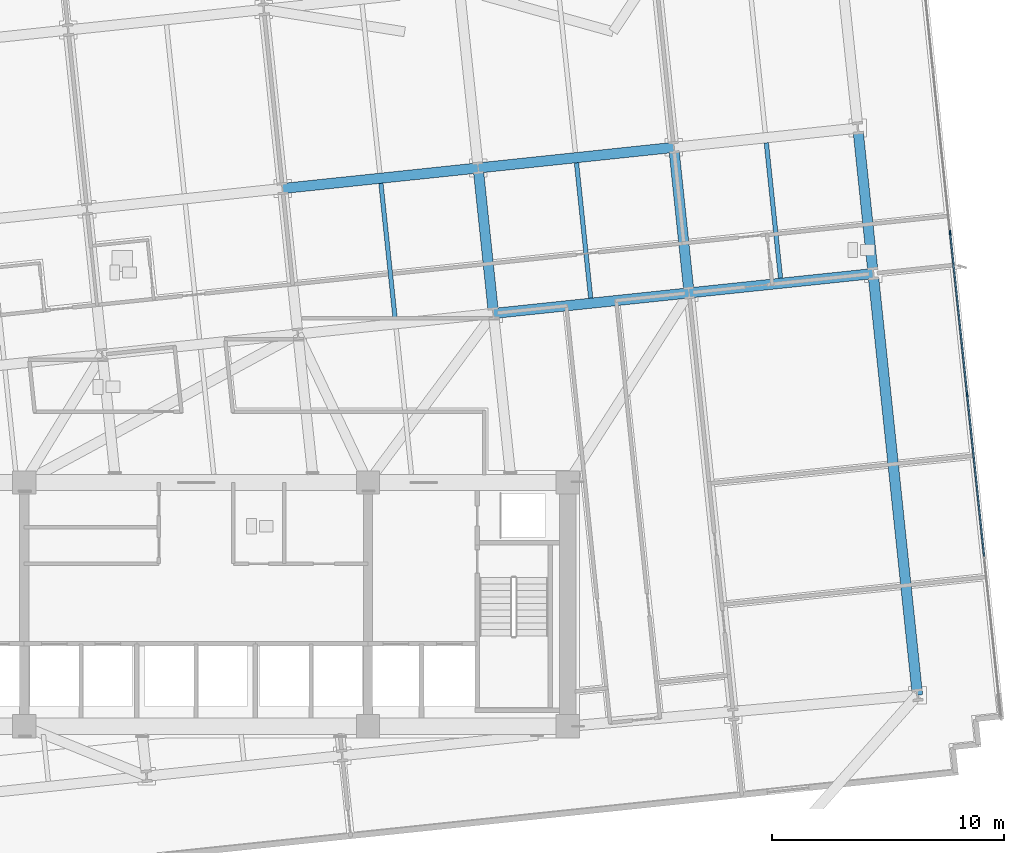
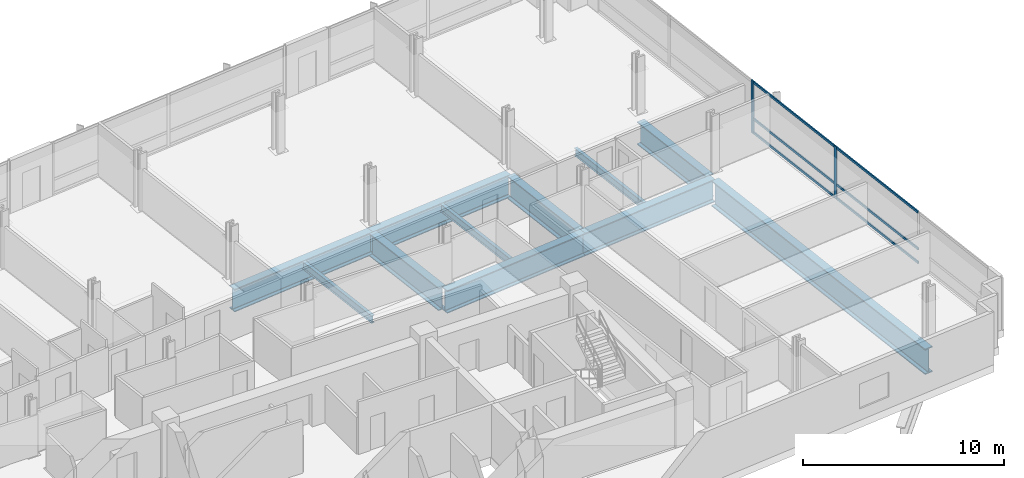
# One storey, part 5 of 18: 11 beams, 8 members, 1 element without a shape of its own.
"""IFC4 building model written with IfcOpenShell, lengths in metres."""

from ifc_helpers import new_model, si_unit, direction, frame, origin, origin_2d, place, context, subcontext, project, spatial, rectangle, i_section, extrude, material, material_profile, profile_set, type_object, element, aggregate, save


model = new_model("IFC4")

# Units and contexts
model_context = context("Model", 3, precision=1e-05, world=origin(), true_north=direction((0.0, 1.0)))
body_context = subcontext(model_context, "Body", "Model", "MODEL_VIEW")
ifc_project = project(units=[si_unit("LENGTHUNIT", "METRE"), si_unit("AREAUNIT", "SQUARE_METRE"), si_unit("VOLUMEUNIT", "CUBIC_METRE"), si_unit("PLANEANGLEUNIT", "RADIAN"), si_unit("MASSUNIT", "GRAM", prefix="KILO")], contexts=[model_context])

# Site, building, storey
site_placement = place(None, origin())
site = spatial("IfcSite", under=ifc_project, at=site_placement, CompositionType="ELEMENT")
building_placement = place(site_placement, origin())
building = spatial("IfcBuilding", under=site, at=building_placement, Name="Solmavex Isthmus Hotel", CompositionType="ELEMENT")
storey_placement = place(building_placement, frame((0.0, 0.0, 80.10009765625)))
storey = spatial("IfcBuildingStorey", under=building, at=storey_placement, Name="L21", CompositionType="ELEMENT", Elevation=80.10009765625)

# Beams
ifc_material_1 = material(Name="Steel ASTM A992 Grade 50", Category="steel")
ifc_material_profile_1 = material_profile(ifc_material_1, i_section(OverallWidth=0.1904296875, OverallDepth=0.456787109375, WebThickness=0.009033203125, FlangeThickness=0.014404296875, FilletRadius=0.0126953125, at=origin_2d()), Name="W18X50")
ifc_profile_set_1 = profile_set([ifc_material_profile_1], Name="Steel ASTM A992 Grade 50")
beam_type_1 = type_object("IfcBeamType", Name="BM-BJ-W18X50", PredefinedType="JOIST", material=ifc_profile_set_1)
beam_1_placement = place(storey_placement, frame((8.5673828125, 4.5498046875, -0.678466796875), z_axis=(-0.104524243635, 0.99452233886, 0.0), x_axis=(-0.99452233886, -0.104524243635, 0.0)))
element("IfcBeam", 1, at=beam_1_placement, inside=storey, type_object=beam_type_1, Name="Secondary Floor Joist L21-J14", PredefinedType="JOIST", context=body_context, shape_type="SweptSolid", body=[
    extrude(i_section(OverallWidth=0.1904296875, OverallDepth=0.456787109375, WebThickness=0.009033203125, FlangeThickness=0.014404296875, FilletRadius=0.0126953125, at=origin_2d()), origin(), (0.0, 0.0, 1.0), 5.85791015625),
])
beam_2_placement = place(storey_placement, frame((16.98681640625, 5.434814453125, -0.678466796875), z_axis=(-0.104528576139, 0.994521883505, 0.0), x_axis=(-0.994521883505, -0.104528576139, 0.0)))
element("IfcBeam", 2, at=beam_2_placement, inside=storey, type_object=beam_type_1, Name="Secondary Floor Joist L21-J16", PredefinedType="JOIST", context=body_context, shape_type="SweptSolid", body=[
    extrude(i_section(OverallWidth=0.1904296875, OverallDepth=0.456787109375, WebThickness=0.009033203125, FlangeThickness=0.014404296875, FilletRadius=0.0126953125, at=origin_2d()), origin(), (0.0, 0.0, 1.0), 5.857666015625),
])
beam_3_placement = place(storey_placement, frame((25.158935546875, 6.293701171875, -0.678466796875), z_axis=(-0.104524243635, 0.99452233886, 0.0), x_axis=(-0.99452233886, -0.104524243635, 0.0)))
element("IfcBeam", 3, at=beam_3_placement, inside=storey, type_object=beam_type_1, Name="Secondary Floor Joist L21-J18", PredefinedType="JOIST", context=body_context, shape_type="SweptSolid", body=[
    extrude(i_section(OverallWidth=0.1904296875, OverallDepth=0.456787109375, WebThickness=0.009033203125, FlangeThickness=0.014404296875, FilletRadius=0.0126953125, at=origin_2d()), origin(), (0.0, 0.0, 1.0), 5.85791015625),
])
ifc_material_2 = material(Name="Steel ASTM A572 Grade 50", Category="steel")
ifc_material_profile_2 = material_profile(ifc_material_2, i_section(OverallWidth=0.449951171875, OverallDepth=1.550048828125, WebThickness=0.031982421875, FlangeThickness=0.06494140625, FilletRadius=0.030517578125, at=origin_2d()), Name="I1550X450")
ifc_profile_set_2 = profile_set([ifc_material_profile_2], Name="Steel ASTM A572 Grade 50")
beam_type_2 = type_object("IfcBeamType", Name="BM-TB-G1550", PredefinedType="BEAM", material=ifc_profile_set_2)
beam_4_placement = place(storey_placement, frame((31.0517578125, -11.65869140625, -1.22509765625), z_axis=(-0.104535351724, 0.994521171338, 0.0), x_axis=(-0.994521171338, -0.104535351724, 0.0)))
element("IfcBeam", 4, at=beam_4_placement, inside=storey, type_object=beam_type_2, Name="Outrigger Collector Beam L21-VG44", PredefinedType="BEAM", context=body_context, shape_type="SweptSolid", body=[
    extrude(i_section(OverallWidth=0.449951171875, OverallDepth=1.550048828125, WebThickness=0.031982421875, FlangeThickness=0.06494140625, FilletRadius=0.030517578125, at=origin_2d()), origin(), (0.0, 0.0, 1.0), 18.030029296875),
])
ifc_material_profile_3 = material_profile(ifc_material_2, i_section(OverallWidth=0.43994140625, OverallDepth=1.3798828125, WebThickness=0.030029296875, FlangeThickness=0.054931640625, FilletRadius=0.030517578125, at=origin_2d()), Name="I1380X440")
ifc_profile_set_3 = profile_set([ifc_material_profile_3], Name="Steel ASTM A572 Grade 50")
beam_type_3 = type_object("IfcBeamType", Name="BM-TG-I1380", PredefinedType="BEAM", material=ifc_profile_set_3)
beam_5_placement = place(storey_placement, frame((12.800048828125, 4.7734375, -1.14013671875), z_axis=(0.994521085209, 0.104536171134, 0.0), x_axis=(-0.104536171134, 0.994521085209, 0.0)))
element("IfcBeam", 5, at=beam_5_placement, inside=storey, type_object=beam_type_3, Name="Outrigger Collector Girder L21-UG09", PredefinedType="BEAM", context=body_context, shape_type="SweptSolid", body=[
    extrude(i_section(OverallWidth=0.43994140625, OverallDepth=1.3798828125, WebThickness=0.030029296875, FlangeThickness=0.054931640625, FilletRadius=0.030517578125, at=origin_2d()), origin(), (0.0, 0.0, 1.0), 8.466064453125),
])
beam_6_placement = place(storey_placement, frame((21.2197265625, 5.658447265625, -1.14013671875), z_axis=(0.994523402738, 0.104514120609, 0.0), x_axis=(-0.104514120609, 0.994523402738, 0.0)))
element("IfcBeam", 6, at=beam_6_placement, inside=storey, type_object=beam_type_3, Name="Outrigger Collector Girder L21-UG10", PredefinedType="BEAM", context=body_context, shape_type="SweptSolid", body=[
    extrude(i_section(OverallWidth=0.43994140625, OverallDepth=1.3798828125, WebThickness=0.030029296875, FlangeThickness=0.054931640625, FilletRadius=0.030517578125, at=origin_2d()), origin(), (0.0, 0.0, 1.0), 7.968017578125),
])
for number, where, z_axis, x_axis, name in (
    (7, (3.72216796875, 10.152099609375, -1.14013671875), (0.994524082861, 0.104507648572, 0.0), (-0.104507648572, 0.994524082861, 0.0), "Outrigger Collector Girder L21-UG14"),
    (8, (12.141845703125, 11.036865234375, -1.14013671875), (0.994521085209, 0.104536171134, 0.0), (-0.104536171134, 0.994521085209, 0.0), "Outrigger Collector Girder L21-UG15"),
):
    element("IfcBeam", number, at=place(storey_placement, frame(where, z_axis=z_axis, x_axis=x_axis)), inside=storey, type_object=beam_type_3, Name=name, PredefinedType="BEAM", context=body_context, shape_type="SweptSolid", body=[
        extrude(i_section(OverallWidth=0.43994140625, OverallDepth=1.3798828125, WebThickness=0.030029296875, FlangeThickness=0.054931640625, FilletRadius=0.030517578125, at=origin_2d()), origin(), (0.0, 0.0, 1.0), 8.466064453125),
    ])
for number, where, z_axis, x_axis, name in (
    (9, (12.777099609375, 4.9921875, -1.14013671875), (-0.104524243635, 0.99452233886, 0.0), (-0.99452233886, -0.104524243635, 0.0), "Outrigger Collector Beam L21-VG39"),
    (10, (21.19677734375, 5.877197265625, -1.14013671875), (-0.104524243635, 0.99452233886, 0.0), (-0.99452233886, -0.104524243635, 0.0), "Outrigger Collector Beam L21-VG42"),
    (11, (29.12109375, 6.7099609375, -1.14013671875), (-0.104524243635, 0.99452233886, 0.0), (-0.99452233886, -0.104524243635, 0.0), "Outrigger Collector Beam L21-VG45"),
):
    element("IfcBeam", number, at=place(storey_placement, frame(where, z_axis=z_axis, x_axis=x_axis)), inside=storey, type_object=beam_type_3, Name=name, PredefinedType="BEAM", context=body_context, shape_type="SweptSolid", body=[
        extrude(i_section(OverallWidth=0.43994140625, OverallDepth=1.3798828125, WebThickness=0.030029296875, FlangeThickness=0.054931640625, FilletRadius=0.030517578125, at=origin_2d()), origin(), (0.0, 0.0, 1.0), 5.85791015625),
    ])

# Curtain wall, members
ifc_material_3 = material(Name="Aluminium alloy 6063-T6", Category="aluminium")
curtain_wall_type = type_object("IfcCurtainWallType", Name="CW-SYS-03", PredefinedType="NOTDEFINED", material=ifc_material_3)
curtain_wall_placement = place(storey_placement, origin())
curtain_wall = element("IfcCurtainWall", 12, at=curtain_wall_placement, inside=storey, type_object=curtain_wall_type, Name="Stick Curtain Wall CWL-L21-E1", PredefinedType="NOTDEFINED")
ifc_material_profile_4 = material_profile(ifc_material_3, rectangle(XDim=0.070068359375, YDim=0.179931640625, at=origin_2d()), Name="CWM-70X180")
ifc_profile_set_4 = profile_set([ifc_material_profile_4], Name="Aluminium alloy 6063-T6")
member_type_1 = type_object("IfcMemberType", Name="CW-SYS-03-MUL", PredefinedType="MULLION", material=ifc_profile_set_4)
member_1_placement = place(storey_placement, frame((33.19140625, 1.275634765625, 0.0), z_axis=(0.0, 0.0, 1.0), x_axis=(-0.994521893044, -0.104528485381, 0.0)))
member_1 = element("IfcMember", 13, at=member_1_placement, type_object=member_type_1, Name="CW-03 mullion 3", PredefinedType="MULLION", context=body_context, shape_type="SweptSolid", body=[
    extrude(rectangle(XDim=0.070068359375, YDim=0.179931640625, at=origin_2d()), origin(), (0.0, 0.0, 1.0), 3.18994140625),
])
member_2_placement = place(storey_placement, frame((32.45751953125, 8.25732421875, 0.0), z_axis=(0.0, 0.0, 1.0), x_axis=(-0.994521893044, -0.104528485381, 0.0)))
member_2 = element("IfcMember", 14, at=member_2_placement, type_object=member_type_1, Name="CW-03 mullion 4", PredefinedType="MULLION", context=body_context, shape_type="SweptSolid", body=[
    extrude(rectangle(XDim=0.070068359375, YDim=0.179931640625, at=origin_2d()), origin(), (0.0, 0.0, 1.0), 3.18994140625),
])
ifc_material_profile_5 = material_profile(ifc_material_3, rectangle(XDim=0.070068359375, YDim=0.139892578125, at=origin_2d()), Name="CWT-70X140")
ifc_profile_set_5 = profile_set([ifc_material_profile_5], Name="Aluminium alloy 6063-T6")
member_type_2 = type_object("IfcMemberType", Name="CW-SYS-03-TRN", PredefinedType="USERDEFINED", material=ifc_profile_set_5)
member_3_placement = place(storey_placement, frame((33.921630859375, -5.6708984375, 0.06982421875), z_axis=(-0.104542152467, 0.99452045648, 0.0), x_axis=(-0.99452045648, -0.104542152467, 0.0)))
member_3 = element("IfcMember", 15, at=member_3_placement, type_object=member_type_2, Name="CW-03 transom 2.1", ObjectType="TRANSOM", PredefinedType="USERDEFINED", context=body_context, shape_type="SweptSolid", body=[
    extrude(rectangle(XDim=0.070068359375, YDim=0.139892578125, at=origin_2d()), origin(), (0.0, 0.0, 1.0), 6.949951171875),
])
member_4_placement = place(storey_placement, frame((33.921630859375, -5.6708984375, 0.89990234375), z_axis=(-0.104542152467, 0.99452045648, 0.0), x_axis=(-0.99452045648, -0.104542152467, 0.0)))
member_4 = element("IfcMember", 16, at=member_4_placement, type_object=member_type_2, Name="CW-03 transom 2.2", ObjectType="TRANSOM", PredefinedType="USERDEFINED", context=body_context, shape_type="SweptSolid", body=[
    extrude(rectangle(XDim=0.070068359375, YDim=0.139892578125, at=origin_2d()), origin(), (0.0, 0.0, 1.0), 6.949951171875),
])
member_5_placement = place(storey_placement, frame((33.921630859375, -5.6708984375, 3.119873046875), z_axis=(-0.104542152467, 0.99452045648, 0.0), x_axis=(-0.99452045648, -0.104542152467, 0.0)))
member_5 = element("IfcMember", 17, at=member_5_placement, type_object=member_type_2, Name="CW-03 transom 2.3", ObjectType="TRANSOM", PredefinedType="USERDEFINED", context=body_context, shape_type="SweptSolid", body=[
    extrude(rectangle(XDim=0.070068359375, YDim=0.139892578125, at=origin_2d()), origin(), (0.0, 0.0, 1.0), 6.949951171875),
])
member_6_placement = place(storey_placement, frame((33.187744140625, 1.310546875, 0.06982421875), z_axis=(-0.104542152467, 0.99452045648, 0.0), x_axis=(-0.99452045648, -0.104542152467, 0.0)))
member_6 = element("IfcMember", 18, at=member_6_placement, type_object=member_type_2, Name="CW-03 transom 3.1", ObjectType="TRANSOM", PredefinedType="USERDEFINED", context=body_context, shape_type="SweptSolid", body=[
    extrude(rectangle(XDim=0.070068359375, YDim=0.139892578125, at=origin_2d()), origin(), (0.0, 0.0, 1.0), 6.949951171875),
])
member_7_placement = place(storey_placement, frame((33.187744140625, 1.310546875, 0.89990234375), z_axis=(-0.104542152467, 0.99452045648, 0.0), x_axis=(-0.99452045648, -0.104542152467, 0.0)))
member_7 = element("IfcMember", 19, at=member_7_placement, type_object=member_type_2, Name="CW-03 transom 3.2", ObjectType="TRANSOM", PredefinedType="USERDEFINED", context=body_context, shape_type="SweptSolid", body=[
    extrude(rectangle(XDim=0.070068359375, YDim=0.139892578125, at=origin_2d()), origin(), (0.0, 0.0, 1.0), 6.949951171875),
])
member_8_placement = place(storey_placement, frame((33.187744140625, 1.310546875, 3.119873046875), z_axis=(-0.104542152467, 0.99452045648, 0.0), x_axis=(-0.99452045648, -0.104542152467, 0.0)))
member_8 = element("IfcMember", 20, at=member_8_placement, type_object=member_type_2, Name="CW-03 transom 3.3", ObjectType="TRANSOM", PredefinedType="USERDEFINED", context=body_context, shape_type="SweptSolid", body=[
    extrude(rectangle(XDim=0.070068359375, YDim=0.139892578125, at=origin_2d()), origin(), (0.0, 0.0, 1.0), 6.949951171875),
])
aggregate(curtain_wall, [member_1, member_2, member_3, member_4, member_5, member_6, member_7, member_8])

save(model, "model.ifc")
